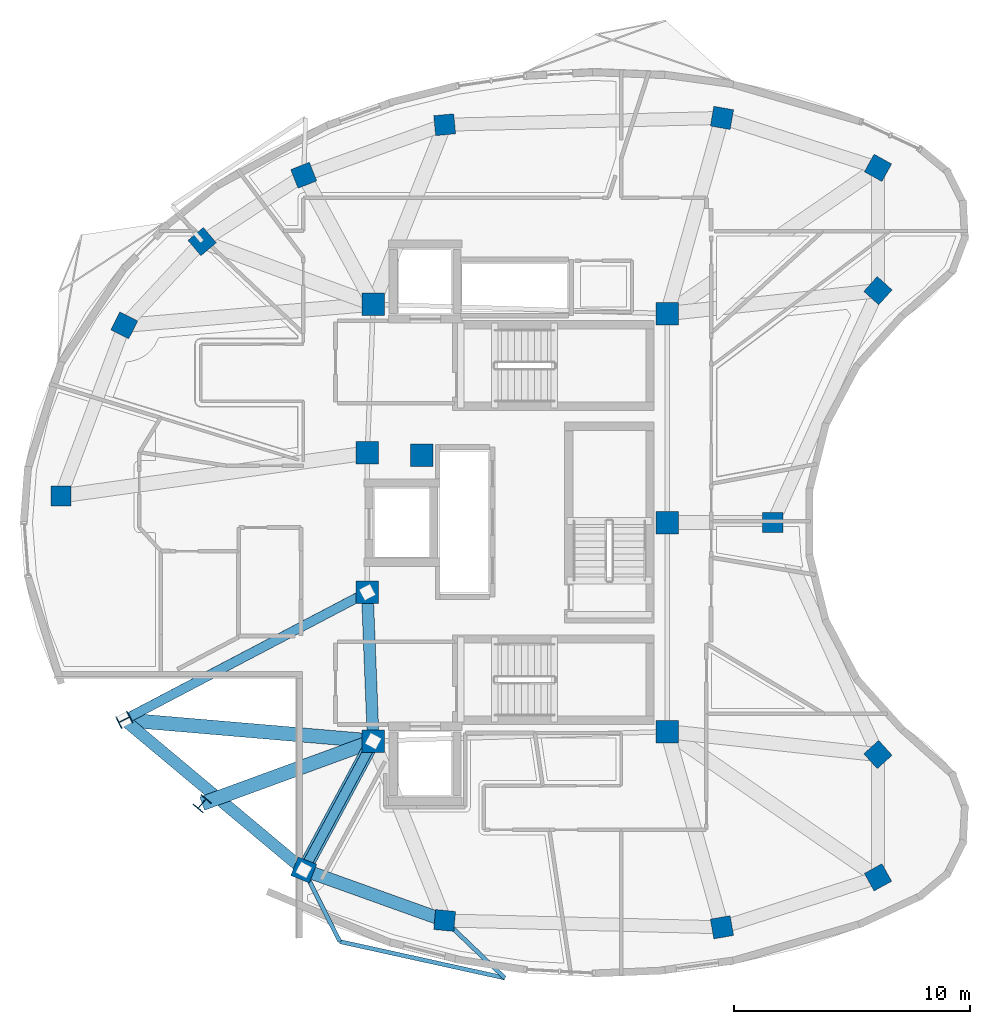
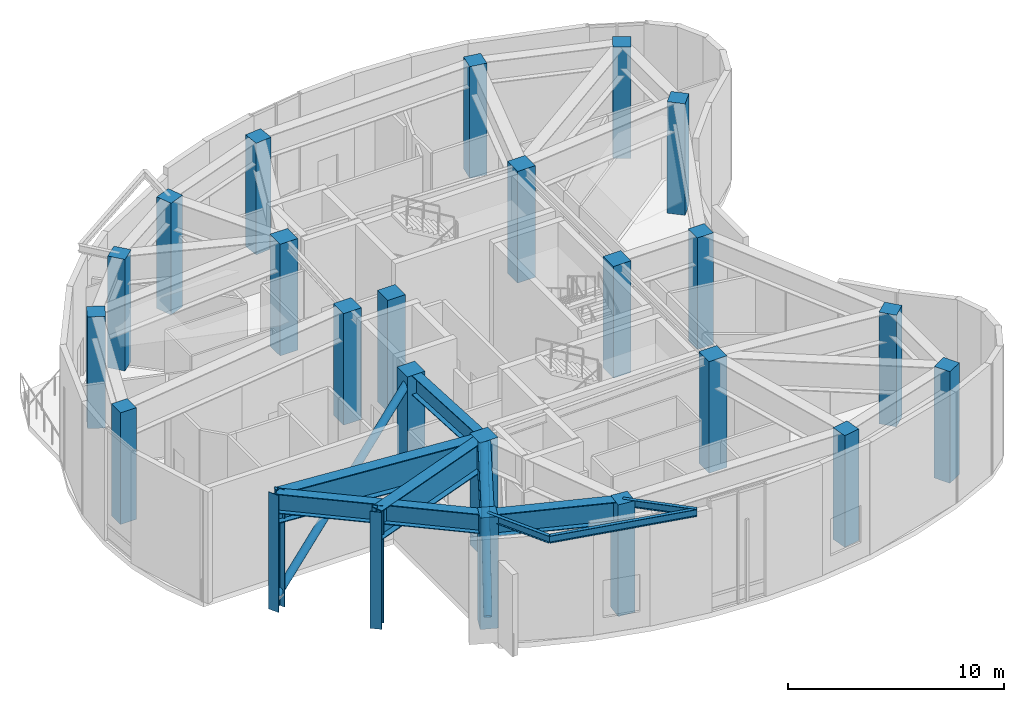
# One storey, part 1 of 12: 24 columns, 9 beams, 2 members.
"""IFC4 building model written with IfcOpenShell, lengths in metres."""

import ifcopenshell
import ifcopenshell.guid

model = None  # the IFC model being written
_history = None  # IfcOwnerHistory: only IFC2X3 demands one
_inside = {}  # id of a spatial element -> (the spatial element, [elements in it])
_under = {}  # id of a project, library or spatial element -> (it, [spatial elements below it])
_declared = {}  # id of a project -> (the project, [libraries it declares])
_typed = {}  # id of a type object -> (the type object, [elements of that type])
_made_of = {}  # id of a material, layer set ... -> (it, [elements and type objects made of it])


def new_model(schema):
    """Start an empty IFC model of exactly this schema.

    Asked for "IFC4X3", IfcOpenShell would pick the latest addendum, in which some entities
    have other attributes; the version numbers below select the first issue.
    IFC2X3 requires an IfcOwnerHistory on every rooted entity: one is made here for all.
    """
    global model, _history
    if schema == "IFC4X3":
        model = ifcopenshell.file(schema_version=(4, 3, 0, 0))
    else:
        model = ifcopenshell.file(schema=schema)
    _inside.clear()
    _under.clear()
    _declared.clear()
    _typed.clear()
    _made_of.clear()
    _history = None
    if model.schema == "IFC2X3":
        org = make("IfcOrganization", Name="unknown")
        user = make(
            "IfcPersonAndOrganization",
            ThePerson=make("IfcPerson", FamilyName="unknown"),
            TheOrganization=org,
        )
        app = make(
            "IfcApplication",
            ApplicationDeveloper=org,
            Version="unknown",
            ApplicationFullName="unknown",
            ApplicationIdentifier="unknown",
        )
        _history = make(
            "IfcOwnerHistory",
            OwningUser=user,
            OwningApplication=app,
            ChangeAction="ADDED",
            CreationDate=0,
        )
    return model


def make(cls, **values):
    """One entity of the class cls with the attributes given. An attribute that is None is left unset."""
    return model.create_entity(
        cls, **{name: value for name, value in values.items() if value is not None}
    )


def rooted(cls, **values):
    """An entity with a GlobalId (a new one), such as an element, a storey or a relation."""
    return make(cls, GlobalId=ifcopenshell.guid.new(), OwnerHistory=_history, **values)


def si_unit(unit_type, name, prefix=None):
    """IfcSIUnit, for example si_unit("LENGTHUNIT", "METRE", prefix="MILLI")."""
    return make("IfcSIUnit", UnitType=unit_type, Prefix=prefix, Name=name)


def assignment(units):
    """IfcUnitAssignment: the units of a project."""
    return None if units is None else make("IfcUnitAssignment", Units=units)


def point(xyz):
    """IfcCartesianPoint."""
    return None if xyz is None else make("IfcCartesianPoint", Coordinates=xyz)


def direction(xyz):
    """IfcDirection."""
    return None if xyz is None else make("IfcDirection", DirectionRatios=xyz)


def frame(location, z_axis=None, x_axis=None):
    """IfcAxis2Placement3D, a coordinate frame: its origin and axes. An axis left out is left unset."""
    return make(
        "IfcAxis2Placement3D",
        Location=point(location),
        Axis=direction(z_axis),
        RefDirection=direction(x_axis),
    )


def frame_2d(location, x_axis=None):
    """IfcAxis2Placement2D, a coordinate frame in the plane: its origin and x axis."""
    return make(
        "IfcAxis2Placement2D", Location=point(location), RefDirection=direction(x_axis)
    )


def origin():
    """The frame at (0, 0, 0) with its axes left unset."""
    return frame((0.0, 0.0, 0.0))


def origin_2d():
    """The frame at (0, 0) in the plane with its x axis left unset."""
    return frame_2d((0.0, 0.0))


def place(relative_to, where):
    """IfcLocalPlacement: puts the frame where relative to a parent placement (None: the world)."""
    return make(
        "IfcLocalPlacement", PlacementRelTo=relative_to, RelativePlacement=where
    )


def context(
    kind, dimensions, precision=None, world=None, true_north=None, identifier=None
):
    """IfcGeometricRepresentationContext, for example the 3D "Model" context."""
    return make(
        "IfcGeometricRepresentationContext",
        ContextIdentifier=identifier,
        ContextType=kind,
        CoordinateSpaceDimension=dimensions,
        Precision=precision,
        WorldCoordinateSystem=world,
        TrueNorth=true_north,
    )


def subcontext(parent, identifier, kind, view, scale=None):
    """IfcGeometricRepresentationSubContext, for example "Body" below "Model"."""
    return make(
        "IfcGeometricRepresentationSubContext",
        ContextIdentifier=identifier,
        ContextType=kind,
        ParentContext=parent,
        TargetScale=scale,
        TargetView=view,
    )


def project(units=None, contexts=None):
    """IfcProject with its units and contexts."""
    return rooted(
        "IfcProject",
        Name="project",
        RepresentationContexts=contexts,
        UnitsInContext=assignment(units),
    )


def spatial(cls, under=None, at=None, **own):
    """A site, building, storey or space (cls), placed at a placement, below another one or the project."""
    s = rooted(cls, ObjectPlacement=at, **own)
    if under is not None:
        _under.setdefault(under.id(), (under, []))[1].append(s)
    return s


def profile(cls, at=None, kind="AREA", **sizes):
    """A parametric profile (cls). Its sizes go by their IFC names, for example OverallWidth=200.0."""
    return make(cls, ProfileType=kind, Position=at, **sizes)


def rectangle(**sizes):
    """IfcRectangleProfileDef."""
    return profile("IfcRectangleProfileDef", **sizes)


def hollow_circle(**sizes):
    """IfcCircleHollowProfileDef."""
    return profile("IfcCircleHollowProfileDef", **sizes)


def i_section(**sizes):
    """IfcIShapeProfileDef."""
    return profile("IfcIShapeProfileDef", **sizes)


def extrude(swept, where, along, depth):
    """IfcExtrudedAreaSolid: the profile swept, set in the frame where, extruded along a direction by depth."""
    return make(
        "IfcExtrudedAreaSolid",
        SweptArea=swept,
        Position=where,
        ExtrudedDirection=direction(along),
        Depth=depth,
    )


def shape(context_of_items, identifier, shape_type, items):
    """IfcShapeRepresentation: the items that make up one representation, for example the "Body"."""
    return make(
        "IfcShapeRepresentation",
        ContextOfItems=context_of_items,
        RepresentationIdentifier=identifier,
        RepresentationType=shape_type,
        Items=items,
    )


def material(Name=None, Category=None):
    """IfcMaterial."""
    return make("IfcMaterial", Name=Name, Category=Category)


def material_profile(
    of_material, cross_section, Name=None, Category=None, Priority=None
):
    """IfcMaterialProfile: a cross section and its material."""
    return make(
        "IfcMaterialProfile",
        Name=Name,
        Material=of_material,
        Profile=cross_section,
        Priority=Priority,
        Category=Category,
    )


def profile_set(profiles, Name=None, composite=None):
    """IfcMaterialProfileSet."""
    return make(
        "IfcMaterialProfileSet",
        Name=Name,
        MaterialProfiles=profiles,
        CompositeProfile=composite,
    )


def made_of(thing, what):
    """Note that an element or type object is made of a material, layer set ...; save() writes the relation."""
    if what is not None:
        _made_of.setdefault(what.id(), (what, []))[1].append(thing)
    return thing


def type_object(cls, material=None, **own):
    """A type object (cls), such as IfcWallType, which elements share."""
    return made_of(rooted(cls, **own), material)


def element(
    cls,
    number,
    at=None,
    inside=None,
    cuts=None,
    type_object=None,
    material=None,
    context=None,
    identifier="Body",
    shape_type=None,
    held_by="IfcProductDefinitionShape",
    body=None,
    shapes=None,
    **own,
):
    """One element of the class cls, such as IfcWall. Its Tag is "e" and its number.

    at: its placement. inside: the storey or other place that contains it. cuts: it is an
    opening in that element (IfcRelVoidsElement). A single representation is given by context,
    identifier, shape_type and body (its items); several are given by shapes. held_by: the class
    of the entity that holds the representations. save() writes the other relations.
    """
    e = rooted(cls, Tag="e%d" % number, ObjectPlacement=at, **own)
    if body is not None:
        shapes = [shape(context, identifier, shape_type, body)]
    if shapes is not None:
        e.Representation = make(held_by, Representations=shapes)
    if inside is not None:
        _inside.setdefault(inside.id(), (inside, []))[1].append(e)
    if cuts is not None:
        rooted(
            "IfcRelVoidsElement", RelatingBuildingElement=cuts, RelatedOpeningElement=e
        )
    if type_object is not None:
        _typed.setdefault(type_object.id(), (type_object, []))[1].append(e)
    return made_of(e, material)


def aggregate(whole, parts):
    """IfcRelAggregates: a whole, such as a stair, and the parts it consists of."""
    return rooted("IfcRelAggregates", RelatingObject=whole, RelatedObjects=parts)


def save(model, path):
    """Write the relations noted so far, then the file.

    IfcRelAggregates (storeys below a building ...), IfcRelContainedInSpatialStructure (elements
    in a storey), IfcRelDefinesByType, IfcRelAssociatesMaterial and IfcRelDeclares: one each for
    every whole, place, type object, material and project.
    """
    for whole, parts in _under.values():
        aggregate(whole, parts)
    for where, things in _inside.values():
        rooted(
            "IfcRelContainedInSpatialStructure",
            RelatedElements=things,
            RelatingStructure=where,
        )
    for kind, things in _typed.values():
        rooted("IfcRelDefinesByType", RelatedObjects=things, RelatingType=kind)
    for what, things in _made_of.values():
        rooted("IfcRelAssociatesMaterial", RelatedObjects=things, RelatingMaterial=what)
    for by, libraries in _declared.values():
        rooted("IfcRelDeclares", RelatingContext=by, RelatedDefinitions=libraries)
    model.write(path)


model = new_model("IFC4")

# Units and contexts
model_context = context("Model", 3, precision=1e-05, world=origin(), true_north=direction((0.0, 1.0)))
body_context = subcontext(model_context, "Body", "Model", "MODEL_VIEW")
ifc_project = project(units=[si_unit("LENGTHUNIT", "METRE"), si_unit("AREAUNIT", "SQUARE_METRE"), si_unit("VOLUMEUNIT", "CUBIC_METRE"), si_unit("PLANEANGLEUNIT", "RADIAN"), si_unit("MASSUNIT", "GRAM", prefix="KILO")], contexts=[model_context])

# Site, building, storey
site_placement = place(None, origin())
site = spatial("IfcSite", under=ifc_project, at=site_placement, CompositionType="ELEMENT")
building_placement = place(site_placement, origin())
building = spatial("IfcBuilding", under=site, at=building_placement, Name="Korentha Bioscience Tower", CompositionType="ELEMENT")
storey_placement = place(building_placement, frame((0.0, 0.0, 291.0)))
storey = spatial("IfcBuildingStorey", under=building, at=storey_placement, Name="L67", CompositionType="ELEMENT", Elevation=291.0)

# Columns
ifc_material_1 = material(Name="Concrete C65", Category="concrete")
ifc_material_profile_1 = material_profile(ifc_material_1, rectangle(XDim=0.949951171875, YDim=0.949951171875, at=origin_2d()), Name="Concrete C65")
ifc_profile_set_1 = profile_set([ifc_material_profile_1], Name="Concrete C65 (COL-CP09)")
column_type_1 = type_object("IfcColumnType", Name="Core Pilaster Column RC 950x950", PredefinedType="PILASTER", material=ifc_profile_set_1)
for number, where, z_axis, x_axis, name in (
    (1, (37.550048828125, 35.85009765625, -0.00048828125), (0.0, 0.0, 1.0), (1.0, 0.0, 0.0), "L67 Core Pilaster CP-01"),
    (2, (25.10009765625, 36.25, -0.00048828125), (0.0, 0.0, 1.0), (1.0, 0.0, 0.0), "L67 Core Pilaster CP-02"),
    (3, (24.85009765625, 29.949951171875, -0.00048828125), (0.0, 0.0, 1.0), (1.0, 0.0, 0.0), "L67 Core Pilaster CP-03"),
    (4, (27.14990234375, 29.85009765625, -0.00048828125), (0.0, 0.0, 1.0), (1.0, 0.0, 0.0), "L67 Core Pilaster CP-04"),
    (5, (24.85009765625, 24.050048828125, -0.00048828125), (0.0, 0.0, 1.0), (1.0, 0.0, 0.0), "L67 Core Pilaster CP-05"),
    (6, (25.10009765625, 17.75, -0.00048828125), (0.0, 0.0, 1.0), (1.0, 0.0, 0.0), "L67 Core Pilaster CP-06"),
    (7, (37.550048828125, 18.14990234375, -0.00048828125), (0.0, 0.0, 1.0), (1.0, 0.0, 0.0), "L67 Core Pilaster CP-07"),
    (8, (37.550048828125, 27.0, -0.00048828125), (0.0, 0.0, 1.0), (1.0, 0.0, 0.0), "L67 Core Pilaster CP-08"),
):
    element("IfcColumn", number, at=place(storey_placement, frame(where, z_axis=z_axis, x_axis=x_axis)), inside=storey, type_object=column_type_1, Name=name, PredefinedType="PILASTER", context=body_context, shape_type="SweptSolid", body=[
        extrude(rectangle(XDim=0.949951171875, YDim=0.949951171875, at=origin_2d()), origin(), (0.0, 0.0, 1.0), 6.301025390625),
    ])
ifc_material_2 = material(Name="Concrete C50", Category="concrete")
ifc_material_profile_2 = material_profile(ifc_material_2, rectangle(XDim=0.85009765625, YDim=0.85009765625, at=origin_2d()), Name="Concrete C50")
ifc_profile_set_2 = profile_set([ifc_material_profile_2], Name="Concrete C50 (COL-P08)")
column_type_2 = type_object("IfcColumnType", Name="Perimeter Column RC 850x850", PredefinedType="COLUMN", material=ifc_profile_set_2)
for number, where, z_axis, x_axis, name in (
    (9, (46.476318359375, 42.022705078125, -0.00048828125), (0.0, 0.0, 1.0), (-0.874535078577, 0.484962262797, 0.0), "L67 Perimeter Column 01"),
    (10, (39.869140625, 44.13818359375, -0.00048828125), (0.0, 0.0, 1.0), (-0.984868307662, 0.173304404339, 0.0), "L67 Perimeter Column 02"),
    (11, (28.125732421875, 43.848876953125, -0.00048828125), (0.0, 0.0, 1.0), (0.995462868748, 0.095150811579, 0.0), "L67 Perimeter Column 03"),
    (12, (22.156982421875, 41.709228515625, -0.00048828125), (0.0, 0.0, 1.0), (0.930225540858, 0.366988341962, 0.0), "L67 Perimeter Column 04"),
    (13, (17.85498046875, 38.90087890625, -0.00048828125), (0.0, 0.0, 1.0), (0.764246456939, 0.644924300253, 0.0), "L67 Perimeter Column 05"),
    (14, (14.556884765625, 35.35107421875, -0.00048828125), (0.0, 0.0, 1.0), (0.453057191132, 0.891481453292, 0.0), "L67 Perimeter Column 06"),
    (15, (11.869384765625, 28.129150390625, -0.00048828125), (0.0, 0.0, 1.0), (0.0, 1.0, 0.0), "L67 Perimeter Column 07"),
    (16, (22.156982421875, 12.290771484375, -0.00048828125), (0.0, 0.0, 1.0), (-0.930225540858, 0.366988341962, 0.0), "L67 Perimeter Column 10"),
    (17, (28.125732421875, 10.151123046875, -0.00048828125), (0.0, 0.0, 1.0), (-0.995462868748, 0.095150811579, 0.0), "L67 Perimeter Column 11"),
    (18, (39.869140625, 9.86181640625, -0.00048828125), (0.0, 0.0, 1.0), (0.984868307662, 0.173304404339, 0.0), "L67 Perimeter Column 12"),
    (19, (46.476318359375, 11.977294921875, -0.00048828125), (0.0, 0.0, 1.0), (0.874535078577, 0.484962262797, 0.0), "L67 Perimeter Column 13"),
    (20, (46.474609375, 17.177490234375, -0.00048828125), (0.0, 0.0, 1.0), (-0.669130606359, 0.743144825477, 0.0), "L67 Perimeter Column 14"),
    (21, (42.020263671875, 27.0, -0.00048828125), (0.0, 0.0, 1.0), (0.0, 1.0, 0.0), "L67 Perimeter Column 15"),
    (22, (46.474609375, 36.822509765625, -0.00048828125), (0.0, 0.0, 1.0), (0.669130606359, 0.743144825477, 0.0), "L67 Perimeter Column 16"),
):
    element("IfcColumn", number, at=place(storey_placement, frame(where, z_axis=z_axis, x_axis=x_axis)), inside=storey, type_object=column_type_2, Name=name, PredefinedType="COLUMN", context=body_context, shape_type="SweptSolid", body=[
        extrude(rectangle(XDim=0.85009765625, YDim=0.85009765625, at=origin_2d()), origin(), (0.0, 0.0, 1.0), 6.301025390625),
    ])
ifc_material_3 = material(Name="Steel S355", Category="steel")
ifc_material_profile_3 = material_profile(ifc_material_3, i_section(OverallWidth=0.550048828125, OverallDepth=0.550048828125, WebThickness=0.02392578125, FlangeThickness=0.030029296875, at=origin_2d()), Name="Steel S355")
ifc_profile_set_3 = profile_set([ifc_material_profile_3], Name="Steel S355 (WP-C1)")
column_type_3 = type_object("IfcColumnType", Name="Wind Portal Frame Column CS 550x332", PredefinedType="COLUMN", material=ifc_profile_set_3)
for number, where, z_axis, x_axis, name in (
    (23, (14.556884765625, 18.64892578125, -0.300048828125), (0.0, 0.0, 1.0), (-0.453057191132, 0.891481453292, 0.0), "L67 Wind Portal Frame Column 08"),
    (24, (17.85498046875, 15.09912109375, -0.300048828125), (0.0, 0.0, 1.0), (-0.764246456939, 0.644924300253, 0.0), "L67 Wind Portal Frame Column 09"),
):
    element("IfcColumn", number, at=place(storey_placement, frame(where, z_axis=z_axis, x_axis=x_axis)), inside=storey, type_object=column_type_3, Name=name, PredefinedType="COLUMN", context=body_context, shape_type="SweptSolid", body=[
        extrude(i_section(OverallWidth=0.550048828125, OverallDepth=0.550048828125, WebThickness=0.02392578125, FlangeThickness=0.030029296875, at=origin_2d()), origin(), (0.0, 0.0, 1.0), 6.60009765625),
    ])

# Beams
ifc_material_profile_4 = material_profile(ifc_material_3, i_section(OverallWidth=0.550048828125, OverallDepth=1.25, WebThickness=0.02392578125, FlangeThickness=0.0400390625, at=origin_2d()), Name="Steel S355")
ifc_profile_set_4 = profile_set([ifc_material_profile_4], Name="Steel S355 (TG-03)")
beam_type_1 = type_object("IfcBeamType", Name="Crown Step Transfer Girder CVS 1250x510", PredefinedType="USERDEFINED", material=ifc_profile_set_4)
beam_1_placement = place(storey_placement, frame((22.156982421875, 12.290771484375, 5.675048828125), z_axis=(0.941344019681, -0.337448420668, 0.0), x_axis=(0.337448420668, 0.941344019681, 0.0)))
element("IfcBeam", 25, at=beam_1_placement, inside=storey, type_object=beam_type_1, Name="L67 Perimeter Spandrel Girder 10", ObjectType="TRANSFER_GIRDER", PredefinedType="USERDEFINED", context=body_context, shape_type="SweptSolid", body=[
    extrude(i_section(OverallWidth=0.550048828125, OverallDepth=1.25, WebThickness=0.02392578125, FlangeThickness=0.0400390625, at=origin_2d()), origin(), (0.0, 0.0, 1.0), 6.340576171875),
])
ifc_material_profile_5 = material_profile(ifc_material_3, i_section(OverallWidth=0.60009765625, OverallDepth=1.64990234375, WebThickness=0.02587890625, FlangeThickness=0.0439453125, at=origin_2d()), Name="Steel S355")
ifc_profile_set_5 = profile_set([ifc_material_profile_5], Name="Steel S355 (TG-04)")
beam_type_2 = type_object("IfcBeamType", Name="Deep Setback Transfer Girder CVS 1650x620", PredefinedType="USERDEFINED", material=ifc_profile_set_5)
beam_2_placement = place(storey_placement, frame((25.10009765625, 17.75, 5.47509765625), z_axis=(-0.996384971169, 0.084952864741, 0.0), x_axis=(-0.084952864741, -0.996384971169, 0.0)))
element("IfcBeam", 26, at=beam_2_placement, inside=storey, type_object=beam_type_2, Name="L67 Radial Transfer Girder 08", ObjectType="TRANSFER_GIRDER", PredefinedType="USERDEFINED", context=body_context, shape_type="SweptSolid", body=[
    extrude(i_section(OverallWidth=0.60009765625, OverallDepth=1.64990234375, WebThickness=0.02587890625, FlangeThickness=0.0439453125, at=origin_2d()), origin(), (0.0, 0.0, 1.0), 10.58154296875),
])
beam_3_placement = place(storey_placement, frame((25.10009765625, 17.75, 5.47509765625), z_axis=(-0.939113387984, -0.343607398798, 0.0), x_axis=(0.343607398798, -0.939113387984, 0.0)))
element("IfcBeam", 27, at=beam_3_placement, inside=storey, type_object=beam_type_2, Name="L67 Radial Transfer Girder 09", ObjectType="TRANSFER_GIRDER", PredefinedType="USERDEFINED", context=body_context, shape_type="SweptSolid", body=[
    extrude(i_section(OverallWidth=0.60009765625, OverallDepth=1.64990234375, WebThickness=0.02587890625, FlangeThickness=0.0439453125, at=origin_2d()), origin(), (0.0, 0.0, 1.0), 7.71484375),
])
beam_4_placement = place(storey_placement, frame((25.10009765625, 17.75, 5.47509765625), z_axis=(-0.474541081143, -0.880233356734, 0.0), x_axis=(0.880233356734, -0.474541081143, 0.0)))
element("IfcBeam", 28, at=beam_4_placement, inside=storey, type_object=beam_type_2, Name="L67 Radial Transfer Girder 10", ObjectType="TRANSFER_GIRDER", PredefinedType="USERDEFINED", context=body_context, shape_type="SweptSolid", body=[
    extrude(i_section(OverallWidth=0.60009765625, OverallDepth=1.64990234375, WebThickness=0.02587890625, FlangeThickness=0.0439453125, at=origin_2d()), origin(), (0.0, 0.0, 1.0), 6.201904296875),
])
ifc_material_profile_6 = material_profile(ifc_material_3, i_section(OverallWidth=0.177978515625, OverallDepth=0.406982421875, WebThickness=0.0078125, FlangeThickness=0.0126953125, at=origin_2d()), Name="Steel S355")
ifc_profile_set_6 = profile_set([ifc_material_profile_6], Name="Steel S355 (CB-410)")
beam_type_3 = type_object("IfcBeamType", Name="Sun-Ledge Cantilever Beam W410x60", PredefinedType="BEAM", material=ifc_profile_set_6)
beam_5_placement = place(storey_placement, frame((22.156982421875, 12.290771484375, 6.098388671875), z_axis=(0.450170622391, -0.892942557355, 0.0), x_axis=(0.892942557355, 0.450170622391, 0.0)))
element("IfcBeam", 29, at=beam_5_placement, inside=storey, type_object=beam_type_3, Name="L67 Balcony Cantilever Bracket A-L68-03", PredefinedType="BEAM", context=body_context, shape_type="SweptSolid", body=[
    extrude(i_section(OverallWidth=0.177978515625, OverallDepth=0.406982421875, WebThickness=0.0078125, FlangeThickness=0.0126953125, at=origin_2d()), origin(), (0.0, 0.0, 1.0), 3.398681640625),
])
beam_6_placement = place(storey_placement, frame((28.125732421875, 10.151123046875, 6.098388671875), z_axis=(0.722438474601, -0.69143521057, 0.0), x_axis=(0.69143521057, 0.722438474601, 0.0)))
element("IfcBeam", 30, at=beam_6_placement, inside=storey, type_object=beam_type_3, Name="L67 Balcony Cantilever Bracket B-L68-03", PredefinedType="BEAM", context=body_context, shape_type="SweptSolid", body=[
    extrude(i_section(OverallWidth=0.177978515625, OverallDepth=0.406982421875, WebThickness=0.0078125, FlangeThickness=0.0126953125, at=origin_2d()), origin(), (0.0, 0.0, 1.0), 3.52001953125),
])
beam_7_placement = place(storey_placement, frame((23.68701171875, 9.255859375, 6.098388671875), z_axis=(0.976568015265, -0.215208995076, 0.0), x_axis=(0.215208995076, 0.976568015265, 0.0)))
element("IfcBeam", 31, at=beam_7_placement, inside=storey, type_object=beam_type_3, Name="L67 Balcony Edge Trimmer Beam L68-03", PredefinedType="BEAM", context=body_context, shape_type="SweptSolid", body=[
    extrude(i_section(OverallWidth=0.177978515625, OverallDepth=0.406982421875, WebThickness=0.0078125, FlangeThickness=0.0126953125, at=origin_2d()), origin(), (0.0, 0.0, 1.0), 7.149169921875),
])

# Members
ifc_material_profile_7 = material_profile(ifc_material_3, hollow_circle(Radius=0.203125, WallThickness=0.02001953125, at=origin_2d()), Name="Steel S355")
ifc_profile_set_7 = profile_set([ifc_material_profile_7], Name="Steel S355 (WP-BR406)")
member_type = type_object("IfcMemberType", Name="Wind Portal Brace Strut CHS 406.4x20", PredefinedType="BRACE", material=ifc_profile_set_7)
member_1_placement = place(storey_placement, frame((22.156982421875, 12.290771484375, 0.39990234375), z_axis=(0.355043172035, 0.658574895884, 0.663493370353), x_axis=(-0.880233356734, 0.474541081143, 0.0)))
element("IfcMember", 32, at=member_1_placement, inside=storey, type_object=member_type, Name="L67 Wind Portal Cheek Brace S", PredefinedType="BRACE", context=body_context, shape_type="SweptSolid", body=[
    extrude(hollow_circle(Radius=0.203125, WallThickness=0.02001953125, at=origin_2d()), origin(), (0.0, 0.0, 1.0), 8.28955078125),
])
member_2_placement = place(storey_placement, frame((14.556884765625, 18.64892578125, 0.39990234375), z_axis=(0.80042287334, 0.420003207393, 0.427692096739), x_axis=(-0.464644132824, 0.885497504136, 0.0)))
element("IfcMember", 33, at=member_2_placement, inside=storey, type_object=member_type, Name="L67 Wind Portal Cheek Brace N", PredefinedType="BRACE", context=body_context, shape_type="SweptSolid", body=[
    extrude(hollow_circle(Radius=0.203125, WallThickness=0.02001953125, at=origin_2d()), origin(), (0.0, 0.0, 1.0), 12.859619140625),
])

# Beams
ifc_material_profile_8 = material_profile(ifc_material_3, i_section(OverallWidth=0.5, OverallDepth=1.10009765625, WebThickness=0.02197265625, FlangeThickness=0.0380859375, at=origin_2d()), Name="Steel S355")
ifc_profile_set_8 = profile_set([ifc_material_profile_8], Name="Steel S355 (WP-B1)")
beam_type_4 = type_object("IfcBeamType", Name="Wind Portal Vierendeel Girder CVS 1100x445", PredefinedType="BEAM", material=ifc_profile_set_8)
beam_8_placement = place(storey_placement, frame((22.156982421875, 12.290771484375, 5.75), z_axis=(-0.766991987877, 0.641656676527, 0.0), x_axis=(-0.641656676527, -0.766991987877, 0.0)))
element("IfcBeam", 34, at=beam_8_placement, inside=storey, type_object=beam_type_4, Name="L67 Wind Portal Head Girder OUT", PredefinedType="BEAM", context=body_context, shape_type="SweptSolid", body=[
    extrude(i_section(OverallWidth=0.5, OverallDepth=1.10009765625, WebThickness=0.02197265625, FlangeThickness=0.0380859375, at=origin_2d()), origin(), (0.0, 0.0, 1.0), 9.908935546875),
])
beam_9_placement = place(storey_placement, frame((25.10009765625, 17.75, 5.75), z_axis=(-0.039651025576, 0.999213588864, 0.0), x_axis=(-0.999213588864, -0.039651025576, 0.0)))
element("IfcBeam", 35, at=beam_9_placement, inside=storey, type_object=beam_type_4, Name="L67 Wind Portal Head Girder IN", PredefinedType="BEAM", context=body_context, shape_type="SweptSolid", body=[
    extrude(i_section(OverallWidth=0.5, OverallDepth=1.10009765625, WebThickness=0.02197265625, FlangeThickness=0.0380859375, at=origin_2d()), origin(), (0.0, 0.0, 1.0), 6.304931640625),
])

save(model, "model.ifc")
